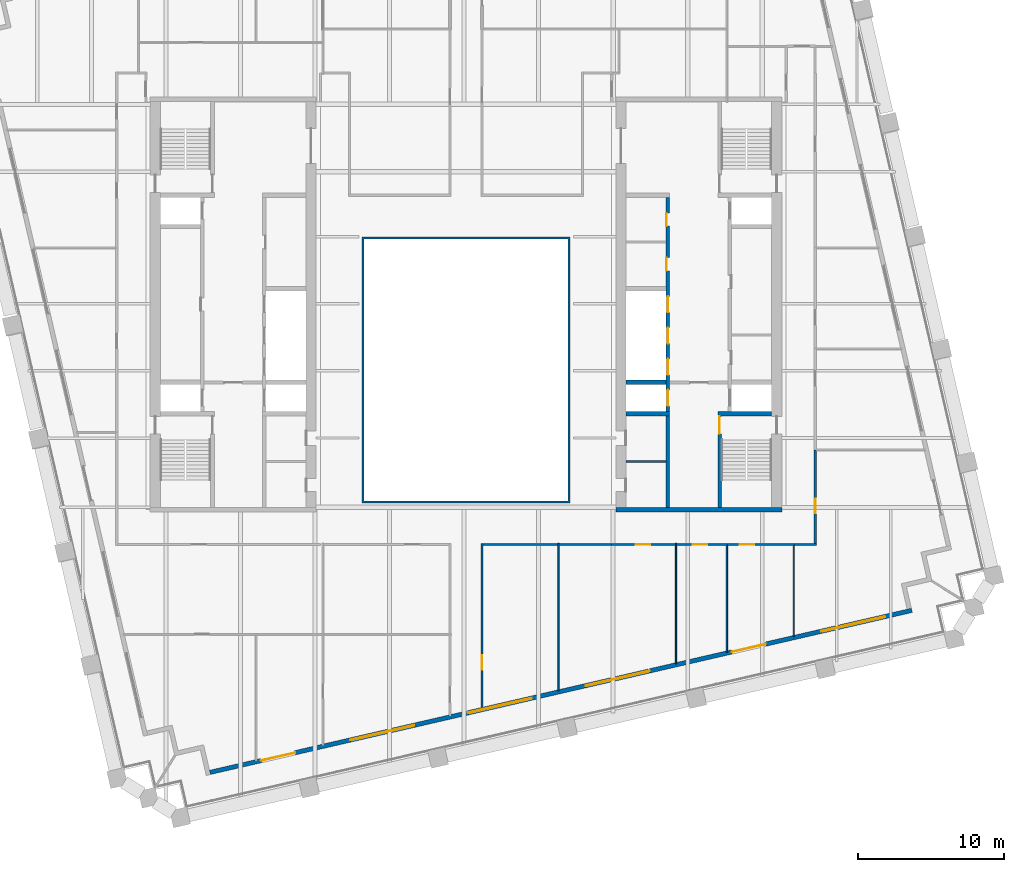
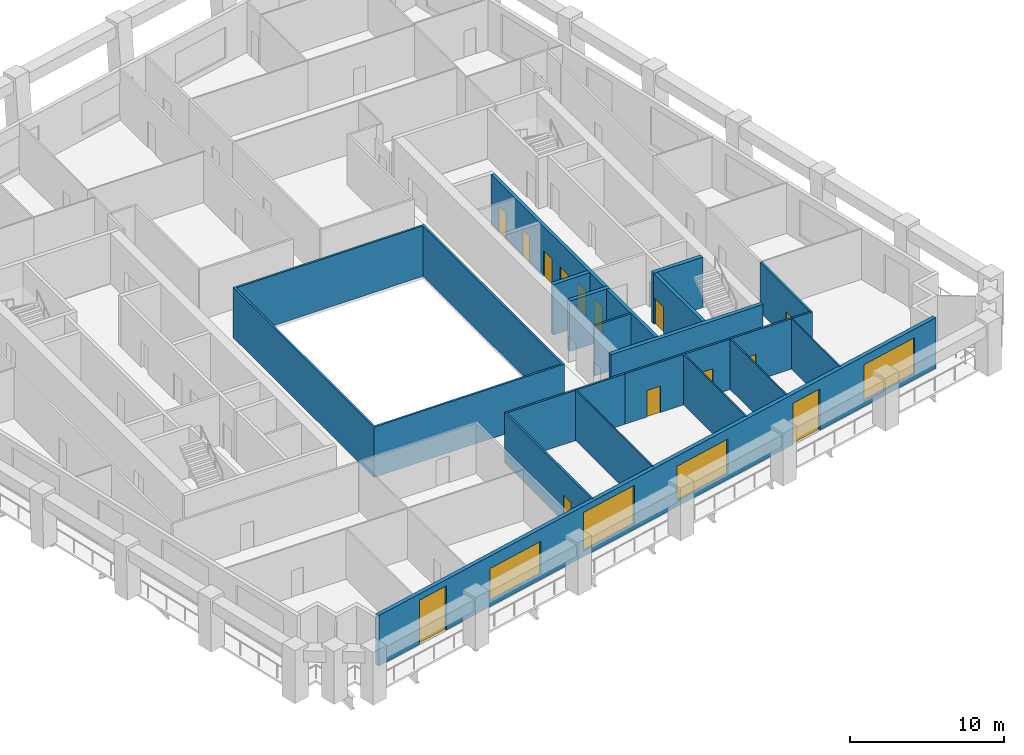
# One storey, part 5 of 10: 21 walls, 14 doors, 4 windows, 18 openings.
"""IFC4 building model written with IfcOpenShell, lengths in metres."""

from ifc_helpers import new_model, si_unit, direction, frame, frame_2d, origin, place, context, subcontext, project, spatial, polyline, rectangle, outline, extrude, material, layer, layer_set, type_object, element, fill, save


model = new_model("IFC4")

# Units and contexts
model_context = context("Model", 3, precision=1e-05, world=origin(), true_north=direction((0.0, 1.0)))
body_context = subcontext(model_context, "Body", "Model", "MODEL_VIEW")
ifc_project = project(units=[si_unit("LENGTHUNIT", "METRE"), si_unit("AREAUNIT", "SQUARE_METRE"), si_unit("VOLUMEUNIT", "CUBIC_METRE"), si_unit("PLANEANGLEUNIT", "RADIAN"), si_unit("MASSUNIT", "GRAM", prefix="KILO")], contexts=[model_context])

# Site, building, storey
site_placement = place(None, origin())
site = spatial("IfcSite", under=ifc_project, at=site_placement, CompositionType="ELEMENT")
building_placement = place(site_placement, origin())
building = spatial("IfcBuilding", under=site, at=building_placement, Name="Ogive Exchange Tower", CompositionType="ELEMENT")
storey_placement = place(building_placement, frame((0.0, 0.0, 180.0)))
storey = spatial("IfcBuildingStorey", under=building, at=storey_placement, Name="L39", CompositionType="ELEMENT", Elevation=180.0)

# Wall
ifc_material_1 = material(Name="Gypsum board partition")
ifc_layer_1 = layer(ifc_material_1, 0.14990234375)
ifc_layer_set_1 = layer_set([ifc_layer_1], Name="Core room partition 150 gypsum")
wall_type_1 = type_object("IfcWallType", Name="Core room partition 150 gypsum", PredefinedType="PARTITIONING", material=ifc_layer_set_1)
wall_1_placement = place(storey_placement, frame((11.0, 0.699951171875, 0.0), z_axis=(0.0, 0.0, 1.0), x_axis=(1.0, 0.0, 0.0)))
element("IfcWall", 1, at=wall_1_placement, inside=storey, type_object=wall_type_1, Name="E south room partition", PredefinedType="PARTITIONING", context=body_context, shape_type="SweptSolid", body=[
    extrude(rectangle(XDim=2.75, YDim=0.14990234375, at=frame_2d((1.375, 0.0))), origin(), (0.0, 0.0, 1.0), 4.0),
])

# Wall, opening, door
ifc_material_2 = material(Name="Fire partition EI 60 150")
ifc_layer_2 = layer(ifc_material_2, 0.14990234375)
ifc_layer_set_2 = layer_set([ifc_layer_2], Name="Fire partition EI 60 150")
wall_type_2 = type_object("IfcWallType", Name="Fire partition EI 60 150", PredefinedType="PARTITIONING", material=ifc_layer_set_2)
wall_2_placement = place(storey_placement, frame((1.10009765625, -4.925048828125, 0.0), z_axis=(0.0, 0.0, 1.0), x_axis=(0.0, -1.0, 0.0)))
wall_2 = element("IfcWall", 2, at=wall_2_placement, inside=storey, type_object=wall_type_2, Name="L39-PWL-036", PredefinedType="PARTITIONING", context=body_context, shape_type="SweptSolid", body=[
    extrude(rectangle(XDim=11.344970703125, YDim=0.14990234375, at=frame_2d((5.67236328125, 0.0))), origin(), (0.0, 0.0, 1.0), 4.0),
])
opening_1_placement = place(wall_2_placement, frame((7.675048828125, 0.0, 0.0)))
opening_1 = element("IfcOpeningElement", 3, at=opening_1_placement, cuts=wall_2, Name="Opening L39-I16", PredefinedType="OPENING", context=body_context, shape_type="SweptSolid", body=[
    extrude(rectangle(XDim=1.0, YDim=2.10009765625, at=frame_2d((0.5, 1.050048828125))), frame((0.0, 0.0849609375, 0.0), z_axis=(0.0, -1.0, 0.0), x_axis=(1.0, 0.0, 0.0)), (0.0, 0.0, 1.0), 0.169921875),
])
ifc_material_3 = material(Name="Fire door FD 30S 1000 x 2100")
door_type_1 = type_object("IfcDoorType", Name="Fire door FD 30S 1000 x 2100", OperationType="NOTDEFINED", PredefinedType="DOOR", material=ifc_material_3)
door_1_placement = place(opening_1_placement, origin())
door_1 = element("IfcDoor", 4, at=door_1_placement, inside=storey, type_object=door_type_1, Name="L39-IDR-016", ObjectType="DT3", OperationType="SINGLE_SWING_LEFT", OverallHeight=2.10009765625, OverallWidth=1.0, PredefinedType="DOOR", context=body_context, shape_type="SweptSolid", body=[
    extrude(rectangle(XDim=1.0, YDim=2.10009765625, at=frame_2d((0.5, 1.050048828125))), frame((0.0, 0.02490234375, 0.0), z_axis=(0.0, -1.0, 0.0), x_axis=(1.0, 0.0, 0.0)), (0.0, 0.0, 1.0), 0.050048828125),
])
fill(opening_1, door_1)

# Walls
wall_3_placement = place(storey_placement, frame((6.2900390625, -5.0, 0.0), z_axis=(0.0, 0.0, 1.0), x_axis=(-1.0, 0.0, 0.0)))
element("IfcWall", 5, at=wall_3_placement, inside=storey, type_object=wall_type_2, Name="L39-PWL-044", PredefinedType="PARTITIONING", context=body_context, shape_type="SweptSolid", body=[
    extrude(rectangle(XDim=5.114990234375, YDim=0.14990234375, at=frame_2d((2.5576171875, 0.0))), origin(), (0.0, 0.0, 1.0), 4.0),
])
wall_4_placement = place(storey_placement, frame((10.0, -5.0, 0.0), z_axis=(0.0, 0.0, 1.0), x_axis=(-1.0, 0.0, 0.0)))
element("IfcWall", 6, at=wall_4_placement, inside=storey, type_object=wall_type_2, Name="L39-PWL-051", PredefinedType="PARTITIONING", context=body_context, shape_type="SweptSolid", body=[
    extrude(rectangle(XDim=3.610107421875, YDim=0.14990234375, at=frame_2d((1.80517578125, 0.0))), origin(), (0.0, 0.0, 1.0), 4.0),
])

# Wall, opening, door
wall_5_placement = place(storey_placement, frame((14.3798828125, -5.0, 0.0), z_axis=(0.0, 0.0, 1.0), x_axis=(-1.0, 0.0, 0.0)))
wall_5 = element("IfcWall", 7, at=wall_5_placement, inside=storey, type_object=wall_type_2, Name="L39-PWL-057", PredefinedType="PARTITIONING", context=body_context, shape_type="SweptSolid", body=[
    extrude(rectangle(XDim=4.3798828125, YDim=0.14990234375, at=frame_2d((2.18994140625, 0.0))), origin(), (0.0, 0.0, 1.0), 4.0),
])
opening_2_placement = place(wall_5_placement, frame((1.72998046875, 0.0, 0.0)))
opening_2 = element("IfcOpeningElement", 8, at=opening_2_placement, cuts=wall_5, Name="Opening L39-I15", PredefinedType="OPENING", context=body_context, shape_type="SweptSolid", body=[
    extrude(rectangle(XDim=1.0, YDim=2.10009765625, at=frame_2d((0.5, 1.050048828125))), frame((0.0, 0.0849609375, 0.0), z_axis=(0.0, -1.0, 0.0), x_axis=(1.0, 0.0, 0.0)), (0.0, 0.0, 1.0), 0.169921875),
])
door_2_placement = place(opening_2_placement, origin())
door_2 = element("IfcDoor", 9, at=door_2_placement, inside=storey, type_object=door_type_1, Name="L39-IDR-015", ObjectType="DT3", OperationType="SINGLE_SWING_RIGHT", OverallHeight=2.10009765625, OverallWidth=1.0, PredefinedType="DOOR", context=body_context, shape_type="SweptSolid", body=[
    extrude(rectangle(XDim=1.0, YDim=2.10009765625, at=frame_2d((0.5, 1.050048828125))), frame((0.0, 0.02490234375, 0.0), z_axis=(0.0, -1.0, 0.0), x_axis=(1.0, 0.0, 0.0)), (0.0, 0.0, 1.0), 0.050048828125),
])
fill(opening_2, door_2)

wall_6_placement = place(storey_placement, frame((17.969970703125, -5.0, 0.0), z_axis=(0.0, 0.0, 1.0), x_axis=(-1.0, 0.0, 0.0)))
wall_6 = element("IfcWall", 10, at=wall_6_placement, inside=storey, type_object=wall_type_2, Name="L39-PWL-058", PredefinedType="PARTITIONING", context=body_context, shape_type="SweptSolid", body=[
    extrude(rectangle(XDim=3.489990234375, YDim=0.14990234375, at=frame_2d((1.7451171875, 0.0))), origin(), (0.0, 0.0, 1.0), 4.0),
])
opening_3_placement = place(wall_6_placement, frame((1.389892578125, 0.0, 0.0)))
opening_3 = element("IfcOpeningElement", 11, at=opening_3_placement, cuts=wall_6, Name="Opening L39-I14", PredefinedType="OPENING", context=body_context, shape_type="SweptSolid", body=[
    extrude(rectangle(XDim=1.0, YDim=2.10009765625, at=frame_2d((0.5, 1.050048828125))), frame((0.0, 0.0849609375, 0.0), z_axis=(0.0, -1.0, 0.0), x_axis=(1.0, 0.0, 0.0)), (0.0, 0.0, 1.0), 0.169921875),
])
door_3_placement = place(opening_3_placement, origin())
door_3 = element("IfcDoor", 12, at=door_3_placement, inside=storey, type_object=door_type_1, Name="L39-IDR-014", ObjectType="DT3", OperationType="SINGLE_SWING_RIGHT", OverallHeight=2.10009765625, OverallWidth=1.0, PredefinedType="DOOR", context=body_context, shape_type="SweptSolid", body=[
    extrude(rectangle(XDim=1.0, YDim=2.10009765625, at=frame_2d((0.5, 1.050048828125))), frame((0.0, 0.02490234375, 0.0), z_axis=(0.0, -1.0, 0.0), x_axis=(1.0, 0.0, 0.0)), (0.0, 0.0, 1.0), 0.050048828125),
])
fill(opening_3, door_3)

wall_7_placement = place(storey_placement, frame((22.570068359375, -5.0, 0.0), z_axis=(0.0, 0.0, 1.0), x_axis=(-1.0, 0.0, 0.0)))
wall_7 = element("IfcWall", 13, at=wall_7_placement, inside=storey, type_object=wall_type_2, Name="L39-PWL-070", PredefinedType="PARTITIONING", context=body_context, shape_type="SweptSolid", body=[
    extrude(rectangle(XDim=4.650146484375, YDim=0.14990234375, at=frame_2d((2.3251953125, 0.0))), origin(), (0.0, 0.0, 1.0), 4.0),
])
opening_4_placement = place(wall_7_placement, frame((2.75, 0.0, 0.0)))
opening_4 = element("IfcOpeningElement", 14, at=opening_4_placement, cuts=wall_7, Name="Opening L39-I18", PredefinedType="OPENING", context=body_context, shape_type="SweptSolid", body=[
    extrude(rectangle(XDim=1.0, YDim=2.10009765625, at=frame_2d((0.5, 1.050048828125))), frame((0.0, 0.0849609375, 0.0), z_axis=(0.0, -1.0, 0.0), x_axis=(1.0, 0.0, 0.0)), (0.0, 0.0, 1.0), 0.169921875),
])
door_4_placement = place(opening_4_placement, origin())
door_4 = element("IfcDoor", 15, at=door_4_placement, inside=storey, type_object=door_type_1, Name="L39-IDR-018", ObjectType="DT3", OperationType="SINGLE_SWING_LEFT", OverallHeight=2.10009765625, OverallWidth=1.0, PredefinedType="DOOR", context=body_context, shape_type="SweptSolid", body=[
    extrude(rectangle(XDim=1.0, YDim=2.10009765625, at=frame_2d((0.5, 1.050048828125))), frame((0.0, 0.02490234375, 0.0), z_axis=(0.0, -1.0, 0.0), x_axis=(1.0, 0.0, 0.0)), (0.0, 0.0, 1.0), 0.050048828125),
])
fill(opening_4, door_4)

# Wall
wall_8_placement = place(storey_placement, frame((24.074951171875, -5.0, 0.0), z_axis=(0.0, 0.0, 1.0), x_axis=(-1.0, 0.0, 0.0)))
element("IfcWall", 16, at=wall_8_placement, inside=storey, type_object=wall_type_2, Name="L39-PWL-074", PredefinedType="PARTITIONING", context=body_context, shape_type="SweptSolid", body=[
    extrude(rectangle(XDim=1.5048828125, YDim=0.14990234375, at=frame_2d((0.75244140625, 0.0))), origin(), (0.0, 0.0, 1.0), 4.0),
])

# Wall, opening, door
wall_9_placement = place(storey_placement, frame((24.0, 1.510009765625, 0.0), z_axis=(0.0, 0.0, 1.0), x_axis=(0.0, -1.0, 0.0)))
wall_9 = element("IfcWall", 17, at=wall_9_placement, inside=storey, type_object=wall_type_2, Name="L39-PWL-075", PredefinedType="PARTITIONING", context=body_context, shape_type="SweptSolid", body=[
    extrude(rectangle(XDim=6.43505859375, YDim=0.14990234375, at=frame_2d((3.217529296875, 0.0))), origin(), (0.0, 0.0, 1.0), 4.0),
])
opening_5_placement = place(wall_9_placement, frame((3.360107421875, 0.0, 0.0)))
opening_5 = element("IfcOpeningElement", 18, at=opening_5_placement, cuts=wall_9, Name="Opening L39-I19", PredefinedType="OPENING", context=body_context, shape_type="SweptSolid", body=[
    extrude(rectangle(XDim=1.0, YDim=2.10009765625, at=frame_2d((0.5, 1.050048828125))), frame((0.0, 0.0849609375, 0.0), z_axis=(0.0, -1.0, 0.0), x_axis=(1.0, 0.0, 0.0)), (0.0, 0.0, 1.0), 0.169921875),
])
door_5_placement = place(opening_5_placement, origin())
door_5 = element("IfcDoor", 19, at=door_5_placement, inside=storey, type_object=door_type_1, Name="L39-IDR-019", ObjectType="DT3", OperationType="SINGLE_SWING_RIGHT", OverallHeight=2.10009765625, OverallWidth=1.0, PredefinedType="DOOR", context=body_context, shape_type="SweptSolid", body=[
    extrude(rectangle(XDim=1.0, YDim=2.10009765625, at=frame_2d((0.5, 1.050048828125))), frame((0.0, 0.02490234375, 0.0), z_axis=(0.0, -1.0, 0.0), x_axis=(1.0, 0.0, 0.0)), (0.0, 0.0, 1.0), 0.050048828125),
])
fill(opening_5, door_5)

# Wall
ifc_material_4 = material(Name="Fire-resisting glass in steel frame", Category="steel")
ifc_layer_3 = layer(ifc_material_4, 0.14990234375)
ifc_layer_set_3 = layer_set([ifc_layer_3], Name="Fire-rated glazed wall 150")
wall_type_3 = type_object("IfcWallType", Name="Fire-rated glazed wall 150", PredefinedType="STANDARD", material=ifc_layer_set_3)
wall_10_placement = place(storey_placement, origin())
element("IfcWall", 20, at=wall_10_placement, inside=storey, type_object=wall_type_3, Name="Nave enclosure wall", PredefinedType="STANDARD", context=body_context, shape_type="SweptSolid", body=[
    extrude(outline(polyline([(-7.14990234375, -2.14990234375), (7.14990234375, -2.14990234375), (7.14990234375, 16.14990234375), (-7.14990234375, 16.14990234375), (-7.14990234375, -2.14990234375)]), holes=[polyline([(-7.0, -2.0), (-7.0, 16.0), (7.0, 16.0), (7.0, -2.0), (-7.0, -2.0)])]), origin(), (0.0, 0.0, 1.0), 4.0),
])

# Wall, openings, doors, windows
ifc_material_5 = material(Name="Precast concrete C40/50", Category="concrete")
ifc_layer_4 = layer(ifc_material_5, 0.300048828125)
ifc_layer_set_4 = layer_set([ifc_layer_4], Name="Limestone-faced wall 300")
wall_type_4 = type_object("IfcWallType", Name="Limestone-faced wall 300", PredefinedType="STANDARD", material=ifc_layer_set_4)
wall_11_placement = place(storey_placement, frame((-17.592041015625, -20.6572265625, 0.0), z_axis=(0.0, 0.0, 1.0), x_axis=(0.974370243697, 0.224950279389, 0.0)))
wall_11 = element("IfcWall", 21, at=wall_11_placement, inside=storey, type_object=wall_type_4, Name="External wall S1", PredefinedType="STANDARD", context=body_context, shape_type="SweptSolid", body=[
    extrude(rectangle(XDim=49.499755859375, YDim=0.300048828125, at=frame_2d((24.75, 0.0))), origin(), (0.0, 0.0, 1.0), 4.0),
])
opening_6_placement = place(wall_11_placement, frame((3.60009765625, 0.0, 0.0)))
opening_6 = element("IfcOpeningElement", 22, at=opening_6_placement, cuts=wall_11, Name="Opening D1", PredefinedType="OPENING", context=body_context, shape_type="SweptSolid", body=[
    extrude(rectangle(XDim=2.39990234375, YDim=3.5, at=frame_2d((1.199951171875, 1.75))), frame((0.0, 0.159912109375, 0.0), z_axis=(0.0, -1.0, 0.0), x_axis=(1.0, 0.0, 0.0)), (0.0, 0.0, 1.0), 0.320068359375),
])
opening_7_placement = place(wall_11_placement, frame((9.89990234375, 0.0, 0.449951171875)))
opening_7 = element("IfcOpeningElement", 23, at=opening_7_placement, cuts=wall_11, Name="Opening W1M", PredefinedType="OPENING", context=body_context, shape_type="SweptSolid", body=[
    extrude(rectangle(XDim=4.5, YDim=2.574951171875, at=frame_2d((2.25, 1.28759765625))), frame((0.0, 0.159912109375, 0.0), z_axis=(0.0, -1.0, 0.0), x_axis=(1.0, 0.0, 0.0)), (0.0, 0.0, 1.0), 0.320068359375),
])
opening_8_placement = place(wall_11_placement, frame((18.199951171875, 0.0, 0.449951171875)))
opening_8 = element("IfcOpeningElement", 24, at=opening_8_placement, cuts=wall_11, Name="Opening W1", PredefinedType="OPENING", context=body_context, shape_type="SweptSolid", body=[
    extrude(rectangle(XDim=4.5, YDim=3.050048828125, at=frame_2d((2.25, 1.52490234375))), frame((0.0, 0.159912109375, 0.0), z_axis=(0.0, -1.0, 0.0), x_axis=(1.0, 0.0, 0.0)), (0.0, 0.0, 1.0), 0.320068359375),
])
opening_9_placement = place(wall_11_placement, frame((26.5, 0.0, 0.449951171875)))
opening_9 = element("IfcOpeningElement", 25, at=opening_9_placement, cuts=wall_11, Name="Opening W1H", PredefinedType="OPENING", context=body_context, shape_type="SweptSolid", body=[
    extrude(rectangle(XDim=4.5, YDim=2.75, at=frame_2d((2.25, 1.375))), frame((0.0, 0.159912109375, 0.0), z_axis=(0.0, -1.0, 0.0), x_axis=(1.0, 0.0, 0.0)), (0.0, 0.0, 1.0), 0.320068359375),
])
opening_10_placement = place(wall_11_placement, frame((36.800048828125, 0.0, 0.0)))
opening_10 = element("IfcOpeningElement", 26, at=opening_10_placement, cuts=wall_11, Name="Opening D1E", PredefinedType="OPENING", context=body_context, shape_type="SweptSolid", body=[
    extrude(rectangle(XDim=2.39990234375, YDim=3.27490234375, at=frame_2d((1.199951171875, 1.637451171875))), frame((0.0, 0.159912109375, 0.0), z_axis=(0.0, -1.0, 0.0), x_axis=(1.0, 0.0, 0.0)), (0.0, 0.0, 1.0), 0.320068359375),
])
opening_11_placement = place(wall_11_placement, frame((43.10009765625, 0.0, 0.449951171875)))
opening_11 = element("IfcOpeningElement", 27, at=opening_11_placement, cuts=wall_11, Name="Opening W1D", PredefinedType="OPENING", context=body_context, shape_type="SweptSolid", body=[
    extrude(rectangle(XDim=4.5, YDim=2.875, at=frame_2d((2.25, 1.4375))), frame((0.0, 0.159912109375, 0.0), z_axis=(0.0, -1.0, 0.0), x_axis=(1.0, 0.0, 0.0)), (0.0, 0.0, 1.0), 0.320068359375),
])
ifc_material_6 = material(Name="Clear glass in bronze frame", Category="glass")
door_type_2 = type_object("IfcDoorType", Name="Sliding loggia door 2400 x 3275", OperationType="DOUBLE_DOOR_SLIDING", PredefinedType="DOOR", material=ifc_material_6)
door_6_placement = place(opening_10_placement, origin())
door_6 = element("IfcDoor", 28, at=door_6_placement, inside=storey, type_object=door_type_2, Name="Loggia door S04", OperationType="DOUBLE_DOOR_SLIDING", OverallHeight=3.27490234375, OverallWidth=2.39990234375, PredefinedType="DOOR", context=body_context, shape_type="SweptSolid", body=[
    extrude(rectangle(XDim=2.39990234375, YDim=3.27490234375, at=frame_2d((1.199951171875, 1.637451171875))), frame((0.0, 0.02490234375, 0.0), z_axis=(0.0, -1.0, 0.0), x_axis=(1.0, 0.0, 0.0)), (0.0, 0.0, 1.0), 0.050048828125),
])
fill(opening_10, door_6)
door_type_3 = type_object("IfcDoorType", Name="Sliding loggia door 2400 x 3500", OperationType="DOUBLE_DOOR_SLIDING", PredefinedType="DOOR", material=ifc_material_6)
door_7_placement = place(opening_6_placement, origin())
door_7 = element("IfcDoor", 29, at=door_7_placement, inside=storey, type_object=door_type_3, Name="Loggia door S00", OperationType="DOUBLE_DOOR_SLIDING", OverallHeight=3.5, OverallWidth=2.39990234375, PredefinedType="DOOR", context=body_context, shape_type="SweptSolid", body=[
    extrude(rectangle(XDim=2.39990234375, YDim=3.5, at=frame_2d((1.199951171875, 1.75))), frame((0.0, 0.02490234375, 0.0), z_axis=(0.0, -1.0, 0.0), x_axis=(1.0, 0.0, 0.0)), (0.0, 0.0, 1.0), 0.050048828125),
])
fill(opening_6, door_7)
window_type_1 = type_object("IfcWindowType", Name="Twin lancet window 4500 x 2575", PartitioningType="DOUBLE_PANEL_VERTICAL", PredefinedType="WINDOW", material=ifc_material_6)
window_1_placement = place(opening_7_placement, origin())
window_1 = element("IfcWindow", 30, at=window_1_placement, inside=storey, type_object=window_type_1, Name="Window S01", OverallHeight=2.574951171875, OverallWidth=4.5, PartitioningType="DOUBLE_PANEL_VERTICAL", PredefinedType="WINDOW", context=body_context, shape_type="SweptSolid", body=[
    extrude(rectangle(XDim=4.5, YDim=2.574951171875, at=frame_2d((2.25, 1.28759765625))), frame((0.0, 0.030029296875, 0.0), z_axis=(0.0, -1.0, 0.0), x_axis=(1.0, 0.0, 0.0)), (0.0, 0.0, 1.0), 0.06005859375),
])
fill(opening_7, window_1)
window_type_2 = type_object("IfcWindowType", Name="Twin lancet window 4500 x 2750", PartitioningType="DOUBLE_PANEL_VERTICAL", PredefinedType="WINDOW", material=ifc_material_6)
window_2_placement = place(opening_9_placement, origin())
window_2 = element("IfcWindow", 31, at=window_2_placement, inside=storey, type_object=window_type_2, Name="Window S03", OverallHeight=2.75, OverallWidth=4.5, PartitioningType="DOUBLE_PANEL_VERTICAL", PredefinedType="WINDOW", context=body_context, shape_type="SweptSolid", body=[
    extrude(rectangle(XDim=4.5, YDim=2.75, at=frame_2d((2.25, 1.375))), frame((0.0, 0.030029296875, 0.0), z_axis=(0.0, -1.0, 0.0), x_axis=(1.0, 0.0, 0.0)), (0.0, 0.0, 1.0), 0.06005859375),
])
fill(opening_9, window_2)
window_type_3 = type_object("IfcWindowType", Name="Twin lancet window 4500 x 2875", PartitioningType="DOUBLE_PANEL_VERTICAL", PredefinedType="WINDOW", material=ifc_material_6)
window_3_placement = place(opening_11_placement, origin())
window_3 = element("IfcWindow", 32, at=window_3_placement, inside=storey, type_object=window_type_3, Name="Window S05", OverallHeight=2.875, OverallWidth=4.5, PartitioningType="DOUBLE_PANEL_VERTICAL", PredefinedType="WINDOW", context=body_context, shape_type="SweptSolid", body=[
    extrude(rectangle(XDim=4.5, YDim=2.875, at=frame_2d((2.25, 1.4375))), frame((0.0, 0.030029296875, 0.0), z_axis=(0.0, -1.0, 0.0), x_axis=(1.0, 0.0, 0.0)), (0.0, 0.0, 1.0), 0.06005859375),
])
fill(opening_11, window_3)
window_type_4 = type_object("IfcWindowType", Name="Twin lancet window 4500 x 3050", PartitioningType="DOUBLE_PANEL_VERTICAL", PredefinedType="WINDOW", material=ifc_material_6)
window_4_placement = place(opening_8_placement, origin())
window_4 = element("IfcWindow", 33, at=window_4_placement, inside=storey, type_object=window_type_4, Name="Window S02", OverallHeight=3.050048828125, OverallWidth=4.5, PartitioningType="DOUBLE_PANEL_VERTICAL", PredefinedType="WINDOW", context=body_context, shape_type="SweptSolid", body=[
    extrude(rectangle(XDim=4.5, YDim=3.050048828125, at=frame_2d((2.25, 1.52490234375))), frame((0.0, 0.030029296875, 0.0), z_axis=(0.0, -1.0, 0.0), x_axis=(1.0, 0.0, 0.0)), (0.0, 0.0, 1.0), 0.06005859375),
])
fill(opening_8, window_4)

# Walls
ifc_material_7 = material(Name="Partition 100 gypsum")
ifc_layer_5 = layer(ifc_material_7, 0.10009765625)
ifc_layer_set_5 = layer_set([ifc_layer_5], Name="Partition 100 gypsum")
wall_type_5 = type_object("IfcWallType", Name="Partition 100 gypsum", PredefinedType="PARTITIONING", material=ifc_layer_set_5)
wall_12_placement = place(storey_placement, frame((6.340087890625, -15.06103515625, 0.0), z_axis=(0.0, 0.0, 1.0), x_axis=(0.0, 1.0, 0.0)))
element("IfcWall", 34, at=wall_12_placement, inside=storey, type_object=wall_type_5, Name="L39-PWL-043", PredefinedType="PARTITIONING", context=body_context, shape_type="SweptSolid", body=[
    extrude(rectangle(XDim=10.135986328125, YDim=0.10009765625, at=frame_2d((5.06787109375, 0.0))), origin(), (0.0, 0.0, 1.0), 4.0),
])
wall_13_placement = place(storey_placement, frame((14.429931640625, -13.193115234375, 0.0), z_axis=(0.0, 0.0, 1.0), x_axis=(0.0, 1.0, 0.0)))
element("IfcWall", 35, at=wall_13_placement, inside=storey, type_object=wall_type_5, Name="L39-PWL-056", PredefinedType="PARTITIONING", context=body_context, shape_type="SweptSolid", body=[
    extrude(rectangle(XDim=8.26806640625, YDim=0.10009765625, at=frame_2d((4.134033203125, 0.0))), origin(), (0.0, 0.0, 1.0), 4.0),
])
wall_14_placement = place(storey_placement, frame((17.919921875, -5.074951171875, 0.0), z_axis=(0.0, 0.0, 1.0), x_axis=(0.0, -1.0, 0.0)))
element("IfcWall", 36, at=wall_14_placement, inside=storey, type_object=wall_type_5, Name="L39-PWL-059", PredefinedType="PARTITIONING", context=body_context, shape_type="SweptSolid", body=[
    extrude(rectangle(XDim=7.31201171875, YDim=0.10009765625, at=frame_2d((3.656005859375, 0.0))), origin(), (0.0, 0.0, 1.0), 4.0),
])
wall_15_placement = place(storey_placement, frame((22.52001953125, -5.074951171875, 0.0), z_axis=(0.0, 0.0, 1.0), x_axis=(0.0, -1.0, 0.0)))
element("IfcWall", 37, at=wall_15_placement, inside=storey, type_object=wall_type_5, Name="L39-PWL-071", PredefinedType="PARTITIONING", context=body_context, shape_type="SweptSolid", body=[
    extrude(rectangle(XDim=6.25, YDim=0.10009765625, at=frame_2d((3.125, 0.0))), origin(), (0.0, 0.0, 1.0), 4.0),
])

# Wall, opening, door
ifc_material_8 = material(Name="Concrete C70/85", Category="concrete")
ifc_layer_6 = layer(ifc_material_8, 0.25)
ifc_layer_set_6 = layer_set([ifc_layer_6], Name="RC core wall 250 C70/85")
wall_type_6 = type_object("IfcWallType", Name="RC core wall 250 C70/85", PredefinedType="SHEAR", material=ifc_layer_set_6)
wall_16_placement = place(storey_placement, frame((17.425048828125, -2.449951171875, 0.0), z_axis=(0.0, 0.0, 1.0), x_axis=(0.0, 1.0, 0.0)))
wall_16 = element("IfcWall", 38, at=wall_16_placement, inside=storey, type_object=wall_type_6, Name="E stair S front wall", PredefinedType="SHEAR", context=body_context, shape_type="SweptSolid", body=[
    extrude(rectangle(XDim=6.300048828125, YDim=0.25, at=frame_2d((3.14990234375, 0.0))), origin(), (0.0, 0.0, 1.0), 4.0),
])
opening_12_placement = place(wall_16_placement, frame((5.050048828125, 0.0, 0.0)))
opening_12 = element("IfcOpeningElement", 39, at=opening_12_placement, cuts=wall_16, Name="Opening L39-C29", PredefinedType="OPENING", context=body_context, shape_type="SweptSolid", body=[
    extrude(rectangle(XDim=1.199951171875, YDim=2.10009765625, at=frame_2d((0.60009765625, 1.050048828125))), frame((0.0, 0.135009765625, 0.0), z_axis=(0.0, -1.0, 0.0), x_axis=(1.0, 0.0, 0.0)), (0.0, 0.0, 1.0), 0.27001953125),
])
ifc_material_9 = material(Name="Steel fire door", Category="steel")
door_type_4 = type_object("IfcDoorType", Name="Stair door FD90 1200 x 2100", OperationType="NOTDEFINED", PredefinedType="DOOR", material=ifc_material_9)
door_8_placement = place(opening_12_placement, frame((1.199951171875, 0.0, 0.0), z_axis=(0.0, 0.0, 1.0), x_axis=(-1.0, 0.0, 0.0)))
door_8 = element("IfcDoor", 40, at=door_8_placement, inside=storey, type_object=door_type_4, Name="Stair door", ObjectType="CD5", OperationType="SINGLE_SWING_RIGHT", OverallHeight=2.10009765625, OverallWidth=1.199951171875, PredefinedType="DOOR", context=body_context, shape_type="SweptSolid", body=[
    extrude(rectangle(XDim=1.199951171875, YDim=2.10009765625, at=frame_2d((0.60009765625, 1.050048828125))), frame((0.0, 0.02490234375, 0.0), z_axis=(0.0, -1.0, 0.0), x_axis=(1.0, 0.0, 0.0)), (0.0, 0.0, 1.0), 0.050048828125),
])
fill(opening_12, door_8)

# Wall, openings, doors
wall_17_placement = place(storey_placement, frame((13.875, -2.449951171875, 0.0), z_axis=(0.0, 0.0, 1.0), x_axis=(0.0, 1.0, 0.0)))
wall_17 = element("IfcWall", 41, at=wall_17_placement, inside=storey, type_object=wall_type_6, Name="E row B front wall", PredefinedType="SHEAR", context=body_context, shape_type="SweptSolid", body=[
    extrude(rectangle(XDim=21.300048828125, YDim=0.25, at=frame_2d((10.64990234375, 0.0))), origin(), (0.0, 0.0, 1.0), 4.0),
])
opening_13_placement = place(wall_17_placement, frame((16.2607421875, 0.0, 0.0)))
opening_13 = element("IfcOpeningElement", 42, at=opening_13_placement, cuts=wall_17, Name="Opening L39-C21", PredefinedType="OPENING", context=body_context, shape_type="SweptSolid", body=[
    extrude(rectangle(XDim=0.89990234375, YDim=2.10009765625, at=frame_2d((0.449951171875, 1.050048828125))), frame((0.0, 0.135009765625, 0.0), z_axis=(0.0, -1.0, 0.0), x_axis=(1.0, 0.0, 0.0)), (0.0, 0.0, 1.0), 0.27001953125),
])
opening_14_placement = place(wall_17_placement, frame((19.324951171875, 0.0, 0.0)))
opening_14 = element("IfcOpeningElement", 43, at=opening_14_placement, cuts=wall_17, Name="Opening L39-C22", PredefinedType="OPENING", context=body_context, shape_type="SweptSolid", body=[
    extrude(rectangle(XDim=0.89990234375, YDim=2.10009765625, at=frame_2d((0.449951171875, 1.050048828125))), frame((0.0, 0.135009765625, 0.0), z_axis=(0.0, -1.0, 0.0), x_axis=(1.0, 0.0, 0.0)), (0.0, 0.0, 1.0), 0.27001953125),
])
opening_15_placement = place(wall_17_placement, frame((6.971435546875, 0.0, 0.0)))
opening_15 = element("IfcOpeningElement", 44, at=opening_15_placement, cuts=wall_17, Name="Opening L39-C23", PredefinedType="OPENING", context=body_context, shape_type="SweptSolid", body=[
    extrude(rectangle(XDim=1.10009765625, YDim=2.10009765625, at=frame_2d((0.550048828125, 1.050048828125))), frame((0.0, 0.135009765625, 0.0), z_axis=(0.0, -1.0, 0.0), x_axis=(1.0, 0.0, 0.0)), (0.0, 0.0, 1.0), 0.27001953125),
])
opening_16_placement = place(wall_17_placement, frame((9.1142578125, 0.0, 0.0)))
opening_16 = element("IfcOpeningElement", 45, at=opening_16_placement, cuts=wall_17, Name="Opening L39-C24", PredefinedType="OPENING", context=body_context, shape_type="SweptSolid", body=[
    extrude(rectangle(XDim=1.10009765625, YDim=2.10009765625, at=frame_2d((0.550048828125, 1.050048828125))), frame((0.0, 0.135009765625, 0.0), z_axis=(0.0, -1.0, 0.0), x_axis=(1.0, 0.0, 0.0)), (0.0, 0.0, 1.0), 0.27001953125),
])
opening_17_placement = place(wall_17_placement, frame((11.257080078125, 0.0, 0.0)))
opening_17 = element("IfcOpeningElement", 46, at=opening_17_placement, cuts=wall_17, Name="Opening L39-C25", PredefinedType="OPENING", context=body_context, shape_type="SweptSolid", body=[
    extrude(rectangle(XDim=1.10009765625, YDim=2.10009765625, at=frame_2d((0.550048828125, 1.050048828125))), frame((0.0, 0.135009765625, 0.0), z_axis=(0.0, -1.0, 0.0), x_axis=(1.0, 0.0, 0.0)), (0.0, 0.0, 1.0), 0.27001953125),
])
opening_18_placement = place(wall_17_placement, frame((13.39990234375, 0.0, 0.0)))
opening_18 = element("IfcOpeningElement", 47, at=opening_18_placement, cuts=wall_17, Name="Opening L39-C26", PredefinedType="OPENING", context=body_context, shape_type="SweptSolid", body=[
    extrude(rectangle(XDim=1.10009765625, YDim=2.10009765625, at=frame_2d((0.550048828125, 1.050048828125))), frame((0.0, 0.135009765625, 0.0), z_axis=(0.0, -1.0, 0.0), x_axis=(1.0, 0.0, 0.0)), (0.0, 0.0, 1.0), 0.27001953125),
])
ifc_material_10 = material(Name="Timber fire door", Category="wood")
door_type_5 = type_object("IfcDoorType", Name="Core room door FD30S 900 x 2100", OperationType="NOTDEFINED", PredefinedType="DOOR", material=ifc_material_10)
door_9_placement = place(opening_13_placement, origin())
door_9 = element("IfcDoor", 48, at=door_9_placement, inside=storey, type_object=door_type_5, Name="Core room door", ObjectType="CD6", OperationType="SINGLE_SWING_RIGHT", OverallHeight=2.10009765625, OverallWidth=0.89990234375, PredefinedType="DOOR", context=body_context, shape_type="SweptSolid", body=[
    extrude(rectangle(XDim=0.89990234375, YDim=2.10009765625, at=frame_2d((0.449951171875, 1.050048828125))), frame((0.0, 0.125, 0.0), z_axis=(0.0, -1.0, 0.0), x_axis=(1.0, 0.0, 0.0)), (0.0, 0.0, 1.0), 0.050048828125),
])
fill(opening_13, door_9)
ifc_material_11 = material(Name="Stainless steel", Category="steel")
door_type_6 = type_object("IfcDoorType", Name="Lift landing door FD90 1100 x 2100", OperationType="SLIDING_TO_LEFT", PredefinedType="DOOR", material=ifc_material_11)
door_10_placement = place(opening_15_placement, origin())
door_10 = element("IfcDoor", 49, at=door_10_placement, inside=storey, type_object=door_type_6, Name="Lift landing door SV2", ObjectType="LD", OperationType="SLIDING_TO_LEFT", OverallHeight=2.10009765625, OverallWidth=1.10009765625, PredefinedType="DOOR", context=body_context, shape_type="SweptSolid", body=[
    extrude(rectangle(XDim=1.10009765625, YDim=2.10009765625, at=frame_2d((0.550048828125, 1.050048828125))), frame((0.0, 0.02490234375, 0.0), z_axis=(0.0, -1.0, 0.0), x_axis=(1.0, 0.0, 0.0)), (0.0, 0.0, 1.0), 0.050048828125),
])
fill(opening_15, door_10)
door_11_placement = place(opening_16_placement, origin())
door_11 = element("IfcDoor", 50, at=door_11_placement, inside=storey, type_object=door_type_6, Name="Lift landing door E-M1", ObjectType="LD", OperationType="SLIDING_TO_LEFT", OverallHeight=2.10009765625, OverallWidth=1.10009765625, PredefinedType="DOOR", context=body_context, shape_type="SweptSolid", body=[
    extrude(rectangle(XDim=1.10009765625, YDim=2.10009765625, at=frame_2d((0.550048828125, 1.050048828125))), frame((0.0, 0.02490234375, 0.0), z_axis=(0.0, -1.0, 0.0), x_axis=(1.0, 0.0, 0.0)), (0.0, 0.0, 1.0), 0.050048828125),
])
fill(opening_16, door_11)
door_12_placement = place(opening_17_placement, origin())
door_12 = element("IfcDoor", 51, at=door_12_placement, inside=storey, type_object=door_type_6, Name="Lift landing door E-M2", ObjectType="LD", OperationType="SLIDING_TO_LEFT", OverallHeight=2.10009765625, OverallWidth=1.10009765625, PredefinedType="DOOR", context=body_context, shape_type="SweptSolid", body=[
    extrude(rectangle(XDim=1.10009765625, YDim=2.10009765625, at=frame_2d((0.550048828125, 1.050048828125))), frame((0.0, 0.02490234375, 0.0), z_axis=(0.0, -1.0, 0.0), x_axis=(1.0, 0.0, 0.0)), (0.0, 0.0, 1.0), 0.050048828125),
])
fill(opening_17, door_12)
door_13_placement = place(opening_18_placement, origin())
door_13 = element("IfcDoor", 52, at=door_13_placement, inside=storey, type_object=door_type_6, Name="Lift landing door E-M3", ObjectType="LD", OperationType="SLIDING_TO_LEFT", OverallHeight=2.10009765625, OverallWidth=1.10009765625, PredefinedType="DOOR", context=body_context, shape_type="SweptSolid", body=[
    extrude(rectangle(XDim=1.10009765625, YDim=2.10009765625, at=frame_2d((0.550048828125, 1.050048828125))), frame((0.0, 0.02490234375, 0.0), z_axis=(0.0, -1.0, 0.0), x_axis=(1.0, 0.0, 0.0)), (0.0, 0.0, 1.0), 0.050048828125),
])
fill(opening_18, door_13)
door_type_7 = type_object("IfcDoorType", Name="Riser door FD60 900 x 2100", OperationType="NOTDEFINED", PredefinedType="DOOR", material=ifc_material_9)
door_14_placement = place(opening_14_placement, origin())
door_14 = element("IfcDoor", 53, at=door_14_placement, inside=storey, type_object=door_type_7, Name="Riser door", ObjectType="CD2", OperationType="SINGLE_SWING_RIGHT", OverallHeight=2.10009765625, OverallWidth=0.89990234375, PredefinedType="DOOR", context=body_context, shape_type="SweptSolid", body=[
    extrude(rectangle(XDim=0.89990234375, YDim=2.10009765625, at=frame_2d((0.449951171875, 1.050048828125))), frame((0.0, 0.125, 0.0), z_axis=(0.0, -1.0, 0.0), x_axis=(1.0, 0.0, 0.0)), (0.0, 0.0, 1.0), 0.050048828125),
])
fill(opening_14, door_14)

# Walls
ifc_layer_7 = layer(ifc_material_8, 0.300048828125)
ifc_layer_set_7 = layer_set([ifc_layer_7], Name="RC core wall 300 C70/85")
wall_type_7 = type_object("IfcWallType", Name="RC core wall 300 C70/85", PredefinedType="SHEAR", material=ifc_layer_set_7)
wall_18_placement = place(storey_placement, frame((10.300048828125, -2.60009765625, 0.0), z_axis=(0.0, 0.0, 1.0), x_axis=(1.0, 0.0, 0.0)))
element("IfcWall", 54, at=wall_18_placement, inside=storey, type_object=wall_type_7, Name="E south end wall", PredefinedType="SHEAR", context=body_context, shape_type="SweptSolid", body=[
    extrude(rectangle(XDim=11.39990234375, YDim=0.300048828125, at=frame_2d((5.699951171875, 0.0))), origin(), (0.0, 0.0, 1.0), 4.0),
])
wall_19_placement = place(storey_placement, frame((17.300048828125, 4.0, 0.0), z_axis=(0.0, 0.0, 1.0), x_axis=(1.0, 0.0, 0.0)))
element("IfcWall", 55, at=wall_19_placement, inside=storey, type_object=wall_type_7, Name="E stair S north wall", PredefinedType="SHEAR", context=body_context, shape_type="SweptSolid", body=[
    extrude(rectangle(XDim=3.699951171875, YDim=0.300048828125, at=frame_2d((1.85009765625, 0.0))), origin(), (0.0, 0.0, 1.0), 4.0),
])
wall_20_placement = place(storey_placement, frame((11.0, 4.0, 0.0), z_axis=(0.0, 0.0, 1.0), x_axis=(1.0, 0.0, 0.0)))
element("IfcWall", 56, at=wall_20_placement, inside=storey, type_object=wall_type_7, Name="E row B divider 0", PredefinedType="SHEAR", context=body_context, shape_type="SweptSolid", body=[
    extrude(rectangle(XDim=3.0, YDim=0.300048828125, at=frame_2d((1.5, 0.0))), origin(), (0.0, 0.0, 1.0), 4.0),
])
wall_21_placement = place(storey_placement, frame((11.0, 6.142822265625, 0.0), z_axis=(0.0, 0.0, 1.0), x_axis=(1.0, 0.0, 0.0)))
element("IfcWall", 57, at=wall_21_placement, inside=storey, type_object=wall_type_7, Name="E row B divider 1", PredefinedType="SHEAR", context=body_context, shape_type="SweptSolid", body=[
    extrude(rectangle(XDim=2.75, YDim=0.300048828125, at=frame_2d((1.375, 0.0))), origin(), (0.0, 0.0, 1.0), 4.0),
])

save(model, "model.ifc")
